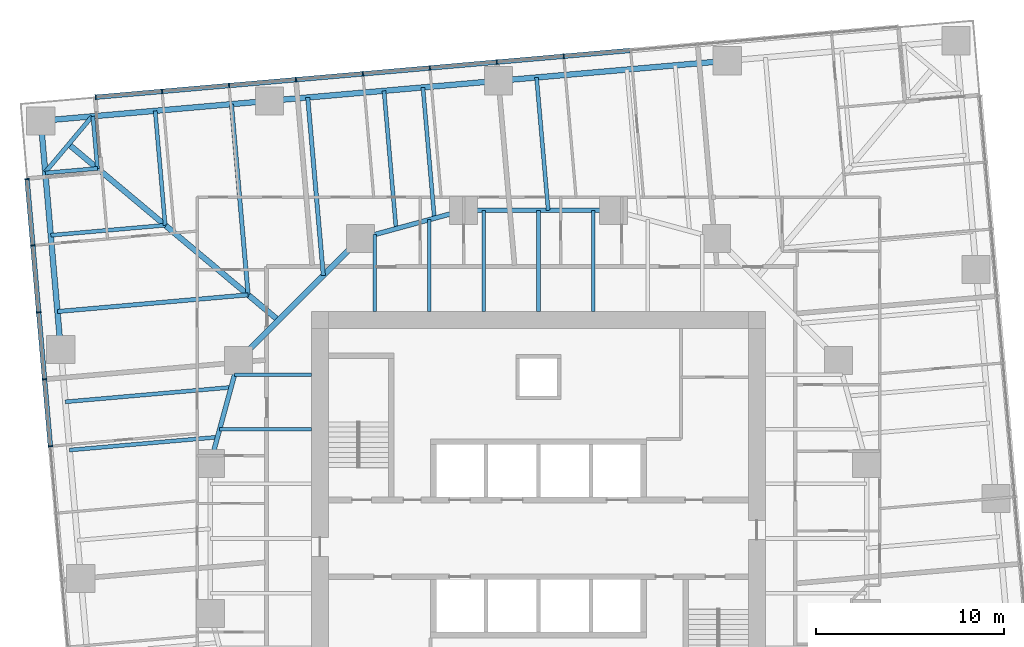
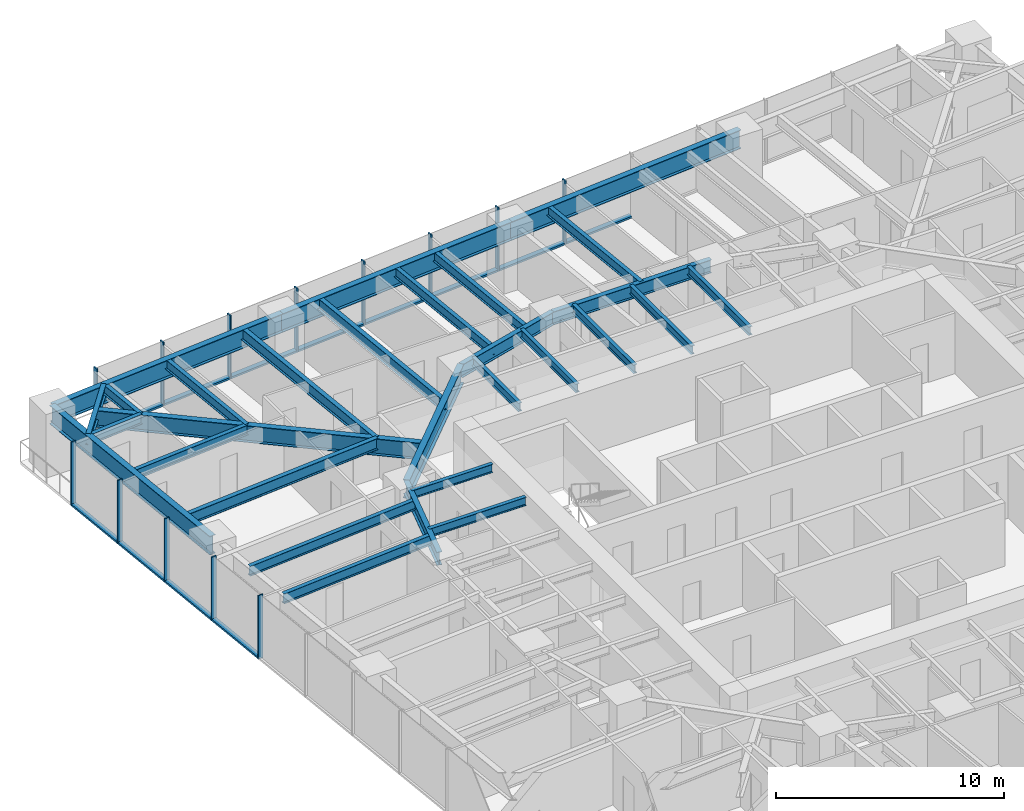
# One storey, part 5 of 14: 29 beams, 25 members, 2 elements without a shape of their own.
"""IFC4 building model written with IfcOpenShell, lengths in metres."""

from ifc_helpers import new_model, si_unit, direction, frame, origin, origin_2d, place, context, subcontext, project, spatial, rectangle, i_section, extrude, material, material_profile, profile_set, type_object, element, aggregate, save


model = new_model("IFC4")

# Units and contexts
model_context = context("Model", 3, precision=1e-05, world=origin(), true_north=direction((0.0, 1.0)))
body_context = subcontext(model_context, "Body", "Model", "MODEL_VIEW")
ifc_project = project(units=[si_unit("LENGTHUNIT", "METRE"), si_unit("AREAUNIT", "SQUARE_METRE"), si_unit("VOLUMEUNIT", "CUBIC_METRE"), si_unit("PLANEANGLEUNIT", "RADIAN"), si_unit("MASSUNIT", "GRAM", prefix="KILO")], contexts=[model_context])

# Site, building, storey
site_placement = place(None, origin())
site = spatial("IfcSite", under=ifc_project, at=site_placement, CompositionType="ELEMENT")
building_placement = place(site_placement, origin())
building = spatial("IfcBuilding", under=site, at=building_placement, Name="Torsade Residences", CompositionType="ELEMENT")
storey_placement = place(building_placement, frame((0.0, 0.0, 67.60009765625)))
storey = spatial("IfcBuildingStorey", under=building, at=storey_placement, Name="L18", CompositionType="ELEMENT", Elevation=67.60009765625)

# Beams
ifc_material_1 = material(Name="Steel grade 300", Category="steel")
ifc_material_profile_1 = material_profile(ifc_material_1, i_section(OverallWidth=0.300048828125, OverallDepth=0.89990234375, WebThickness=0.011962890625, FlangeThickness=0.02490234375, at=origin_2d()), Name="900WB175")
ifc_profile_set_1 = profile_set([ifc_material_profile_1], Name="Steel grade 300")
beam_type_1 = type_object("IfcBeamType", Name="CORNER GIRDER 900WB175", PredefinedType="BEAM", material=ifc_profile_set_1)
beam_1_placement = place(storey_placement, frame((14.947509765625, 51.021484375, 2.7998046875), z_axis=(0.766046281307, -0.642785419012, 0.0), x_axis=(0.642785419012, 0.766046281307, 0.0)))
element("IfcBeam", 1, at=beam_1_placement, inside=storey, type_object=beam_type_1, Name="Corner girder 13 L19", PredefinedType="BEAM", context=body_context, shape_type="SweptSolid", body=[
    extrude(i_section(OverallWidth=0.300048828125, OverallDepth=0.89990234375, WebThickness=0.011962890625, FlangeThickness=0.02490234375, at=origin_2d()), origin(), (0.0, 0.0, 1.0), 14.603515625),
])
ifc_material_2 = material(Name="Steel grade 300", Category="steel")
ifc_material_profile_2 = material_profile(ifc_material_2, i_section(OverallWidth=0.22802734375, OverallDepth=0.60205078125, WebThickness=0.010498046875, FlangeThickness=0.014892578125, FilletRadius=0.013916015625, at=origin_2d()), Name="610UB101")
ifc_profile_set_2 = profile_set([ifc_material_profile_2], Name="Steel grade 300")
beam_type_2 = type_object("IfcBeamType", Name="CORNER TRIMMER 610UB101", PredefinedType="BEAM", material=ifc_profile_set_2)
beam_2_placement = place(storey_placement, frame((13.697509765625, 49.531982421875, 2.948974609375), z_axis=(0.642804819911, 0.766030001697, 0.0), x_axis=(-0.766030001697, 0.642804819911, 0.0)))
element("IfcBeam", 2, at=beam_2_placement, inside=storey, type_object=beam_type_2, Name="Corner trimmer 13 L19", PredefinedType="BEAM", context=body_context, shape_type="SweptSolid", body=[
    extrude(i_section(OverallWidth=0.22802734375, OverallDepth=0.60205078125, WebThickness=0.010498046875, FlangeThickness=0.014892578125, FilletRadius=0.013916015625, at=origin_2d()), origin(), (0.0, 0.0, 1.0), 3.88916015625),
])

# Curtain wall, members
ifc_material_3 = material(Name="Aluminium and glass", Category="aluminium")
curtain_wall_type = type_object("IfcCurtainWallType", Name="FRITTED GLASS CURTAIN WALL LOW ZONE", PredefinedType="NOTDEFINED", material=ifc_material_3)
curtain_wall_1_placement = place(storey_placement, origin())
curtain_wall_1 = element("IfcCurtainWall", 3, at=curtain_wall_1_placement, inside=storey, type_object=curtain_wall_type, Name="Curtain wall L18 face 7", PredefinedType="NOTDEFINED")
ifc_material_4 = material(Name="Aluminium mullion", Category="aluminium")
ifc_material_profile_3 = material_profile(ifc_material_4, rectangle(XDim=0.25, YDim=0.06494140625, at=origin_2d()), Name="CURTAIN WALL MULLION 250x65")
ifc_profile_set_3 = profile_set([ifc_material_profile_3], Name="Aluminium mullion")
member_type_1 = type_object("IfcMemberType", Name="CURTAIN WALL MULLION 250x65", PredefinedType="MULLION", material=ifc_profile_set_3)
member_1_placement = place(storey_placement, frame((41.34716796875, 55.71533203125, 0.0), z_axis=(0.0, 0.0, 1.0), x_axis=(0.087155744208, -0.996194697964, 0.0)))
member_1 = element("IfcMember", 4, at=member_1_placement, type_object=member_type_1, Name="Mullion 6", PredefinedType="MULLION", context=body_context, shape_type="SweptSolid", body=[
    extrude(rectangle(XDim=0.25, YDim=0.06494140625, at=origin_2d()), origin(), (0.0, 0.0, 1.0), 3.39990234375),
])
member_2_placement = place(storey_placement, frame((37.777587890625, 55.403076171875, 0.0), z_axis=(0.0, 0.0, 1.0), x_axis=(0.087155744208, -0.996194697964, 0.0)))
member_2 = element("IfcMember", 5, at=member_2_placement, type_object=member_type_1, Name="Mullion 7", PredefinedType="MULLION", context=body_context, shape_type="SweptSolid", body=[
    extrude(rectangle(XDim=0.25, YDim=0.06494140625, at=origin_2d()), origin(), (0.0, 0.0, 1.0), 3.39990234375),
])
member_3_placement = place(storey_placement, frame((34.207763671875, 55.090576171875, 0.0), z_axis=(0.0, 0.0, 1.0), x_axis=(0.087155744208, -0.996194697964, 0.0)))
member_3 = element("IfcMember", 6, at=member_3_placement, type_object=member_type_1, Name="Mullion 8", PredefinedType="MULLION", context=body_context, shape_type="SweptSolid", body=[
    extrude(rectangle(XDim=0.25, YDim=0.06494140625, at=origin_2d()), origin(), (0.0, 0.0, 1.0), 3.39990234375),
])
member_4_placement = place(storey_placement, frame((30.63818359375, 54.7783203125, 0.0), z_axis=(0.0, 0.0, 1.0), x_axis=(0.087155744208, -0.996194697964, 0.0)))
member_4 = element("IfcMember", 7, at=member_4_placement, type_object=member_type_1, Name="Mullion 9", PredefinedType="MULLION", context=body_context, shape_type="SweptSolid", body=[
    extrude(rectangle(XDim=0.25, YDim=0.06494140625, at=origin_2d()), origin(), (0.0, 0.0, 1.0), 3.39990234375),
])
member_5_placement = place(storey_placement, frame((27.068359375, 54.466064453125, 0.0), z_axis=(0.0, 0.0, 1.0), x_axis=(0.087155744208, -0.996194697964, 0.0)))
member_5 = element("IfcMember", 8, at=member_5_placement, type_object=member_type_1, Name="Mullion 10", PredefinedType="MULLION", context=body_context, shape_type="SweptSolid", body=[
    extrude(rectangle(XDim=0.25, YDim=0.06494140625, at=origin_2d()), origin(), (0.0, 0.0, 1.0), 3.39990234375),
])
member_6_placement = place(storey_placement, frame((23.498779296875, 54.15380859375, 0.0), z_axis=(0.0, 0.0, 1.0), x_axis=(0.087155744208, -0.996194697964, 0.0)))
member_6 = element("IfcMember", 9, at=member_6_placement, type_object=member_type_1, Name="Mullion 11", PredefinedType="MULLION", context=body_context, shape_type="SweptSolid", body=[
    extrude(rectangle(XDim=0.25, YDim=0.06494140625, at=origin_2d()), origin(), (0.0, 0.0, 1.0), 3.39990234375),
])
member_7_placement = place(storey_placement, frame((19.928955078125, 53.84130859375, 0.0), z_axis=(0.0, 0.0, 1.0), x_axis=(0.087155744208, -0.996194697964, 0.0)))
member_7 = element("IfcMember", 10, at=member_7_placement, type_object=member_type_1, Name="Mullion 12", PredefinedType="MULLION", context=body_context, shape_type="SweptSolid", body=[
    extrude(rectangle(XDim=0.25, YDim=0.06494140625, at=origin_2d()), origin(), (0.0, 0.0, 1.0), 3.39990234375),
])
member_8_placement = place(storey_placement, frame((16.3916015625, 53.531982421875, 0.0), z_axis=(0.0, 0.0, 1.0), x_axis=(0.087155744208, -0.996194697964, 0.0)))
member_8 = element("IfcMember", 11, at=member_8_placement, type_object=member_type_1, Name="Mullion 13", PredefinedType="MULLION", context=body_context, shape_type="SweptSolid", body=[
    extrude(rectangle(XDim=0.25, YDim=0.06494140625, at=origin_2d()), origin(), (0.0, 0.0, 1.0), 3.39990234375),
])

curtain_wall_2_placement = place(storey_placement, origin())
curtain_wall_2 = element("IfcCurtainWall", 12, at=curtain_wall_2_placement, inside=storey, type_object=curtain_wall_type, Name="Curtain wall L18 face 10", PredefinedType="NOTDEFINED")
member_9_placement = place(storey_placement, frame((12.72607421875, 49.163330078125, 0.0), z_axis=(0.0, 0.0, 1.0), x_axis=(0.996194697964, 0.087155744208, 0.0)))
member_9 = element("IfcMember", 13, at=member_9_placement, type_object=member_type_1, Name="Mullion 1", PredefinedType="MULLION", context=body_context, shape_type="SweptSolid", body=[
    extrude(rectangle(XDim=0.25, YDim=0.06494140625, at=origin_2d()), origin(), (0.0, 0.0, 1.0), 3.39990234375),
])
member_10_placement = place(storey_placement, frame((13.035400390625, 45.6259765625, 0.0), z_axis=(0.0, 0.0, 1.0), x_axis=(0.996194697964, 0.087155744208, 0.0)))
member_10 = element("IfcMember", 14, at=member_10_placement, type_object=member_type_1, Name="Mullion 2", PredefinedType="MULLION", context=body_context, shape_type="SweptSolid", body=[
    extrude(rectangle(XDim=0.25, YDim=0.06494140625, at=origin_2d()), origin(), (0.0, 0.0, 1.0), 3.39990234375),
])
member_11_placement = place(storey_placement, frame((13.347900390625, 42.056396484375, 0.0), z_axis=(0.0, 0.0, 1.0), x_axis=(0.996194697964, 0.087155744208, 0.0)))
member_11 = element("IfcMember", 15, at=member_11_placement, type_object=member_type_1, Name="Mullion 3", PredefinedType="MULLION", context=body_context, shape_type="SweptSolid", body=[
    extrude(rectangle(XDim=0.25, YDim=0.06494140625, at=origin_2d()), origin(), (0.0, 0.0, 1.0), 3.39990234375),
])
member_12_placement = place(storey_placement, frame((13.66015625, 38.486572265625, 0.0), z_axis=(0.0, 0.0, 1.0), x_axis=(0.996194697964, 0.087155744208, 0.0)))
member_12 = element("IfcMember", 16, at=member_12_placement, type_object=member_type_1, Name="Mullion 4", PredefinedType="MULLION", context=body_context, shape_type="SweptSolid", body=[
    extrude(rectangle(XDim=0.25, YDim=0.06494140625, at=origin_2d()), origin(), (0.0, 0.0, 1.0), 3.39990234375),
])
member_13_placement = place(storey_placement, frame((13.972412109375, 34.9169921875, 0.0), z_axis=(0.0, 0.0, 1.0), x_axis=(0.996194697964, 0.087155744208, 0.0)))
member_13 = element("IfcMember", 17, at=member_13_placement, type_object=member_type_1, Name="Mullion 5", PredefinedType="MULLION", context=body_context, shape_type="SweptSolid", body=[
    extrude(rectangle(XDim=0.25, YDim=0.06494140625, at=origin_2d()), origin(), (0.0, 0.0, 1.0), 3.39990234375),
])

# Member
ifc_material_5 = material(Name="Aluminium transom", Category="aluminium")
ifc_material_profile_4 = material_profile(ifc_material_5, rectangle(XDim=0.25, YDim=0.10009765625, at=origin_2d()), Name="CURTAIN WALL TRANSOM 250x100")
ifc_profile_set_4 = profile_set([ifc_material_profile_4], Name="Aluminium transom")
member_type_2 = type_object("IfcMemberType", Name="CURTAIN WALL TRANSOM 250x100", PredefinedType="USERDEFINED", material=ifc_profile_set_4)
member_14_placement = place(storey_placement, frame((44.884521484375, 56.024658203125, 0.0498046875), z_axis=(-0.996194621295, -0.087156620531, 0.0), x_axis=(0.087156620531, -0.996194621295, 0.0)))
member_14 = element("IfcMember", 18, at=member_14_placement, type_object=member_type_2, Name="Transom 5.1", ObjectType="TRANSOM", PredefinedType="USERDEFINED", context=body_context, shape_type="SweptSolid", body=[
    extrude(rectangle(XDim=0.25, YDim=0.10009765625, at=origin_2d()), origin(), (0.0, 0.0, 1.0), 3.518310546875),
])

member_15_placement = place(storey_placement, frame((41.31494140625, 55.71240234375, 0.0498046875), z_axis=(-0.996195148363, -0.08715059597, 0.0), x_axis=(0.08715059597, -0.996195148363, 0.0)))
member_15 = element("IfcMember", 19, at=member_15_placement, type_object=member_type_2, Name="Transom 6.1", ObjectType="TRANSOM", PredefinedType="USERDEFINED", context=body_context, shape_type="SweptSolid", body=[
    extrude(rectangle(XDim=0.25, YDim=0.10009765625, at=origin_2d()), origin(), (0.0, 0.0, 1.0), 3.5185546875),
])

member_16_placement = place(storey_placement, frame((37.7451171875, 55.400146484375, 0.0498046875), z_axis=(-0.996194621295, -0.087156620531, 0.0), x_axis=(0.087156620531, -0.996194621295, 0.0)))
member_16 = element("IfcMember", 20, at=member_16_placement, type_object=member_type_2, Name="Transom 7.1", ObjectType="TRANSOM", PredefinedType="USERDEFINED", context=body_context, shape_type="SweptSolid", body=[
    extrude(rectangle(XDim=0.25, YDim=0.10009765625, at=origin_2d()), origin(), (0.0, 0.0, 1.0), 3.518310546875),
])

member_17_placement = place(storey_placement, frame((34.175537109375, 55.087890625, 0.0498046875), z_axis=(-0.996195148363, -0.08715059597, 0.0), x_axis=(0.08715059597, -0.996195148363, 0.0)))
member_17 = element("IfcMember", 21, at=member_17_placement, type_object=member_type_2, Name="Transom 8.1", ObjectType="TRANSOM", PredefinedType="USERDEFINED", context=body_context, shape_type="SweptSolid", body=[
    extrude(rectangle(XDim=0.25, YDim=0.10009765625, at=origin_2d()), origin(), (0.0, 0.0, 1.0), 3.5185546875),
])

member_18_placement = place(storey_placement, frame((30.605712890625, 54.775634765625, 0.0498046875), z_axis=(-0.996194621295, -0.087156620531, 0.0), x_axis=(0.087156620531, -0.996194621295, 0.0)))
member_18 = element("IfcMember", 22, at=member_18_placement, type_object=member_type_2, Name="Transom 9.1", ObjectType="TRANSOM", PredefinedType="USERDEFINED", context=body_context, shape_type="SweptSolid", body=[
    extrude(rectangle(XDim=0.25, YDim=0.10009765625, at=origin_2d()), origin(), (0.0, 0.0, 1.0), 3.518310546875),
])

member_19_placement = place(storey_placement, frame((27.0361328125, 54.463134765625, 0.0498046875), z_axis=(-0.996195148363, -0.08715059597, 0.0), x_axis=(0.08715059597, -0.996195148363, 0.0)))
member_19 = element("IfcMember", 23, at=member_19_placement, type_object=member_type_2, Name="Transom 10.1", ObjectType="TRANSOM", PredefinedType="USERDEFINED", context=body_context, shape_type="SweptSolid", body=[
    extrude(rectangle(XDim=0.25, YDim=0.10009765625, at=origin_2d()), origin(), (0.0, 0.0, 1.0), 3.5185546875),
])

member_20_placement = place(storey_placement, frame((23.46630859375, 54.15087890625, 0.0498046875), z_axis=(-0.996194621295, -0.087156620531, 0.0), x_axis=(0.087156620531, -0.996194621295, 0.0)))
member_20 = element("IfcMember", 24, at=member_20_placement, type_object=member_type_2, Name="Transom 11.1", ObjectType="TRANSOM", PredefinedType="USERDEFINED", context=body_context, shape_type="SweptSolid", body=[
    extrude(rectangle(XDim=0.25, YDim=0.10009765625, at=origin_2d()), origin(), (0.0, 0.0, 1.0), 3.518310546875),
])

member_21_placement = place(storey_placement, frame((19.896728515625, 53.838623046875, 0.0498046875), z_axis=(-0.996191284475, -0.08719475177, 0.0), x_axis=(0.08719475177, -0.996191284475, 0.0)))
member_21 = element("IfcMember", 25, at=member_21_placement, type_object=member_type_2, Name="Transom 12.1", ObjectType="TRANSOM", PredefinedType="USERDEFINED", context=body_context, shape_type="SweptSolid", body=[
    extrude(rectangle(XDim=0.25, YDim=0.10009765625, at=origin_2d()), origin(), (0.0, 0.0, 1.0), 3.48583984375),
])

aggregate(curtain_wall_1, [member_1, member_2, member_3, member_4, member_5, member_6, member_7, member_8, member_14, member_15, member_16, member_17, member_18, member_19, member_20, member_21])

member_22_placement = place(storey_placement, frame((12.728759765625, 49.130859375, 0.0498046875), z_axis=(0.0872008357, -0.996190751941, 0.0), x_axis=(0.996190751941, 0.0872008357, 0.0)))
member_22 = element("IfcMember", 26, at=member_22_placement, type_object=member_type_2, Name="Transom 1.1", ObjectType="TRANSOM", PredefinedType="USERDEFINED", context=body_context, shape_type="SweptSolid", body=[
    extrude(rectangle(XDim=0.25, YDim=0.10009765625, at=origin_2d()), origin(), (0.0, 0.0, 1.0), 3.485595703125),
])

member_23_placement = place(storey_placement, frame((13.038330078125, 45.59375, 0.0498046875), z_axis=(0.08715059597, -0.996195148363, 0.0), x_axis=(0.996195148363, 0.08715059597, 0.0)))
member_23 = element("IfcMember", 27, at=member_23_placement, type_object=member_type_2, Name="Transom 2.1", ObjectType="TRANSOM", PredefinedType="USERDEFINED", context=body_context, shape_type="SweptSolid", body=[
    extrude(rectangle(XDim=0.25, YDim=0.10009765625, at=origin_2d()), origin(), (0.0, 0.0, 1.0), 3.5185546875),
])

member_24_placement = place(storey_placement, frame((13.3505859375, 42.02392578125, 0.0498046875), z_axis=(0.087156620531, -0.996194621295, 0.0), x_axis=(0.996194621295, 0.087156620531, 0.0)))
member_24 = element("IfcMember", 28, at=member_24_placement, type_object=member_type_2, Name="Transom 3.1", ObjectType="TRANSOM", PredefinedType="USERDEFINED", context=body_context, shape_type="SweptSolid", body=[
    extrude(rectangle(XDim=0.25, YDim=0.10009765625, at=origin_2d()), origin(), (0.0, 0.0, 1.0), 3.518310546875),
])

member_25_placement = place(storey_placement, frame((13.662841796875, 38.454345703125, 0.0498046875), z_axis=(0.08715059597, -0.996195148363, 0.0), x_axis=(0.996195148363, 0.08715059597, 0.0)))
member_25 = element("IfcMember", 29, at=member_25_placement, type_object=member_type_2, Name="Transom 4.1", ObjectType="TRANSOM", PredefinedType="USERDEFINED", context=body_context, shape_type="SweptSolid", body=[
    extrude(rectangle(XDim=0.25, YDim=0.10009765625, at=origin_2d()), origin(), (0.0, 0.0, 1.0), 3.5185546875),
])

aggregate(curtain_wall_2, [member_9, member_10, member_11, member_12, member_13, member_22, member_23, member_24, member_25])

# Beams
ifc_material_6 = material(Name="Steel grade 300", Category="steel")
ifc_material_profile_5 = material_profile(ifc_material_6, i_section(OverallWidth=0.300048828125, OverallDepth=1.0, WebThickness=0.01611328125, FlangeThickness=0.028076171875, at=origin_2d()), Name="1000WB215")
ifc_profile_set_5 = profile_set([ifc_material_profile_5], Name="Steel grade 300")
beam_type_3 = type_object("IfcBeamType", Name="EDGE BEAM 1000WB215", PredefinedType="SPANDREL", material=ifc_profile_set_5)
for number, where, z_axis, x_axis, name in (
    (30, (50.068115234375, 55.474365234375, 2.75), (-0.996194907201, -0.08715335259, 0.0), (0.08715335259, -0.996194907201, 0.0), "Edge beam 10 L19"),
    (31, (37.86474609375, 54.40673828125, 2.75), (-0.996194907201, -0.08715335259, 0.0), (0.08715335259, -0.996194907201, 0.0), "Edge beam 11 L19"),
    (32, (25.661376953125, 53.339111328125, 2.75), (-0.996194907201, -0.08715335259, 0.0), (0.08715335259, -0.996194907201, 0.0), "Edge beam 12 L19"),
    (33, (13.4580078125, 52.271484375, 2.75), (0.08715335259, -0.996194907201, 0.0), (0.996194907201, 0.08715335259, 0.0), "Edge beam 13 L19"),
):
    element("IfcBeam", number, at=place(storey_placement, frame(where, z_axis=z_axis, x_axis=x_axis)), inside=storey, type_object=beam_type_3, Name=name, PredefinedType="SPANDREL", context=body_context, shape_type="SweptSolid", body=[
        extrude(i_section(OverallWidth=0.300048828125, OverallDepth=1.0, WebThickness=0.01611328125, FlangeThickness=0.028076171875, at=origin_2d()), origin(), (0.0, 0.0, 1.0), 12.25),
    ])
ifc_material_7 = material(Name="Steel grade 300", Category="steel")
ifc_material_profile_6 = material_profile(ifc_material_7, i_section(OverallWidth=0.18994140625, OverallDepth=0.4541015625, WebThickness=0.008544921875, FlangeThickness=0.0126953125, FilletRadius=0.011474609375, at=origin_2d()), Name="460UB67.1")
ifc_profile_set_6 = profile_set([ifc_material_profile_6], Name="Steel grade 300")
beam_type_4 = type_object("IfcBeamType", Name="INNER FLOOR BEAM 460UB67.1", PredefinedType="JOIST", material=ifc_profile_set_6)
beam_3_placement = place(storey_placement, frame((31.262451171875, 42.10009765625, 3.02294921875), z_axis=(0.0, 1.0, 0.0), x_axis=(-1.0, 0.0, 0.0)))
element("IfcBeam", 34, at=beam_3_placement, inside=storey, type_object=beam_type_4, Name="Inner floor beam IN01 L19", PredefinedType="JOIST", context=body_context, shape_type="SweptSolid", body=[
    extrude(i_section(OverallWidth=0.18994140625, OverallDepth=0.4541015625, WebThickness=0.008544921875, FlangeThickness=0.0126953125, FilletRadius=0.011474609375, at=origin_2d()), origin(), (0.0, 0.0, 1.0), 4.10791015625),
])
beam_4_placement = place(storey_placement, frame((34.175048828125, 42.10009765625, 3.02294921875), z_axis=(0.0, 1.0, 0.0), x_axis=(-1.0, 0.0, 0.0)))
element("IfcBeam", 35, at=beam_4_placement, inside=storey, type_object=beam_type_4, Name="Inner floor beam IN02 L19", PredefinedType="JOIST", context=body_context, shape_type="SweptSolid", body=[
    extrude(i_section(OverallWidth=0.18994140625, OverallDepth=0.4541015625, WebThickness=0.008544921875, FlangeThickness=0.0126953125, FilletRadius=0.011474609375, at=origin_2d()), origin(), (0.0, 0.0, 1.0), 4.902099609375),
])
for number, where, z_axis, x_axis, name in (
    (36, (37.08740234375, 42.10009765625, 3.02294921875), (0.0, 1.0, 0.0), (-1.0, 0.0, 0.0), "Inner floor beam IN03 L19"),
    (37, (40.0, 42.10009765625, 3.02294921875), (0.0, 1.0, 0.0), (-1.0, 0.0, 0.0), "Inner floor beam IN04 L19"),
    (38, (42.91259765625, 42.10009765625, 3.02294921875), (0.0, 1.0, 0.0), (-1.0, 0.0, 0.0), "Inner floor beam IN05 L19"),
):
    element("IfcBeam", number, at=place(storey_placement, frame(where, z_axis=z_axis, x_axis=x_axis)), inside=storey, type_object=beam_type_4, Name=name, PredefinedType="JOIST", context=body_context, shape_type="SweptSolid", body=[
        extrude(i_section(OverallWidth=0.18994140625, OverallDepth=0.4541015625, WebThickness=0.008544921875, FlangeThickness=0.0126953125, FilletRadius=0.011474609375, at=origin_2d()), origin(), (0.0, 0.0, 1.0), 5.39990234375),
    ])
beam_5_placement = place(storey_placement, frame((27.89990234375, 38.737548828125, 3.02294921875), z_axis=(-1.0, 0.0, 0.0), x_axis=(0.0, -1.0, 0.0)))
element("IfcBeam", 39, at=beam_5_placement, inside=storey, type_object=beam_type_4, Name="Inner floor beam IW01 L19", PredefinedType="JOIST", context=body_context, shape_type="SweptSolid", body=[
    extrude(i_section(OverallWidth=0.18994140625, OverallDepth=0.4541015625, WebThickness=0.008544921875, FlangeThickness=0.0126953125, FilletRadius=0.011474609375, at=origin_2d()), origin(), (0.0, 0.0, 1.0), 4.10791015625),
])
beam_6_placement = place(storey_placement, frame((27.89990234375, 35.824951171875, 3.02294921875), z_axis=(-1.0, 0.0, 0.0), x_axis=(0.0, -1.0, 0.0)))
element("IfcBeam", 40, at=beam_6_placement, inside=storey, type_object=beam_type_4, Name="Inner floor beam IW02 L19", PredefinedType="JOIST", context=body_context, shape_type="SweptSolid", body=[
    extrude(i_section(OverallWidth=0.18994140625, OverallDepth=0.4541015625, WebThickness=0.008544921875, FlangeThickness=0.0126953125, FilletRadius=0.011474609375, at=origin_2d()), origin(), (0.0, 0.0, 1.0), 4.902099609375),
])
ifc_material_8 = material(Name="Steel grade 300", Category="steel")
ifc_material_profile_7 = material_profile(ifc_material_8, i_section(OverallWidth=0.300048828125, OverallDepth=1.0, WebThickness=0.01611328125, FlangeThickness=0.028076171875, at=origin_2d()), Name="1000WB215")
ifc_profile_set_7 = profile_set([ifc_material_profile_7], Name="Steel grade 300")
beam_type_5 = type_object("IfcBeamType", Name="RING CORNER GIRDER 1000WB215", PredefinedType="BEAM", material=ifc_profile_set_7)
beam_7_placement = place(storey_placement, frame((30.5, 46.0, 2.75), z_axis=(-0.707106781187, -0.707106781187, 0.0), x_axis=(0.707106781187, -0.707106781187, 0.0)))
element("IfcBeam", 41, at=beam_7_placement, inside=storey, type_object=beam_type_5, Name="Ring girder IR07 L19", PredefinedType="BEAM", context=body_context, shape_type="SweptSolid", body=[
    extrude(i_section(OverallWidth=0.300048828125, OverallDepth=1.0, WebThickness=0.01611328125, FlangeThickness=0.028076171875, at=origin_2d()), origin(), (0.0, 0.0, 1.0), 9.1923828125),
])
ifc_material_9 = material(Name="Steel grade 300", Category="steel")
ifc_material_profile_8 = material_profile(ifc_material_9, i_section(OverallWidth=0.25, OverallDepth=0.699951171875, WebThickness=0.010009765625, FlangeThickness=0.02001953125, at=origin_2d()), Name="700WB130")
ifc_profile_set_8 = profile_set([ifc_material_profile_8], Name="Steel grade 300")
beam_type_6 = type_object("IfcBeamType", Name="RING GIRDER 700WB130", PredefinedType="BEAM", material=ifc_profile_set_8)
beam_8_placement = place(storey_placement, frame((44.0, 47.5, 2.89990234375), z_axis=(-1.0, 0.0, 0.0), x_axis=(0.0, -1.0, 0.0)))
element("IfcBeam", 42, at=beam_8_placement, inside=storey, type_object=beam_type_6, Name="Ring girder IR05 L19", PredefinedType="BEAM", context=body_context, shape_type="SweptSolid", body=[
    extrude(i_section(OverallWidth=0.25, OverallDepth=0.699951171875, WebThickness=0.010009765625, FlangeThickness=0.02001953125, at=origin_2d()), origin(), (0.0, 0.0, 1.0), 8.0),
])
for number, where, z_axis, x_axis, name in (
    (43, (36.0, 47.5, 2.89990234375), (-0.964763821238, -0.263117405792, 0.0), (0.263117405792, -0.964763821238, 0.0), "Ring girder IR06 L19"),
    (44, (24.0, 39.5, 2.89990234375), (-0.263117405792, -0.964763821238, 0.0), (0.964763821238, -0.263117405792, 0.0), "Ring girder IR08 L19"),
):
    element("IfcBeam", number, at=place(storey_placement, frame(where, z_axis=z_axis, x_axis=x_axis)), inside=storey, type_object=beam_type_6, Name=name, PredefinedType="BEAM", context=body_context, shape_type="SweptSolid", body=[
        extrude(i_section(OverallWidth=0.25, OverallDepth=0.699951171875, WebThickness=0.010009765625, FlangeThickness=0.02001953125, at=origin_2d()), origin(), (0.0, 0.0, 1.0), 5.700927734375),
    ])
ifc_material_10 = material(Name="Steel grade 300", Category="steel")
ifc_material_profile_9 = material_profile(ifc_material_10, i_section(OverallWidth=0.208984375, OverallDepth=0.528076171875, WebThickness=0.009521484375, FlangeThickness=0.01318359375, FilletRadius=0.013916015625, at=origin_2d()), Name="530UB82.0")
ifc_profile_set_9 = profile_set([ifc_material_profile_9], Name="Steel grade 300")
beam_type_7 = type_object("IfcBeamType", Name="SECONDARY BEAM 530UB82.0", PredefinedType="JOIST", material=ifc_profile_set_9)
beam_9_placement = place(storey_placement, frame((39.898681640625, 54.584716796875, 2.98583984375), z_axis=(0.087127345813, -0.996197182094, 0.0), x_axis=(0.996197182094, 0.087127345813, 0.0)))
element("IfcBeam", 45, at=beam_9_placement, inside=storey, type_object=beam_type_7, Name="Floor beam FN06 L19", PredefinedType="JOIST", context=body_context, shape_type="SweptSolid", body=[
    extrude(i_section(OverallWidth=0.208984375, OverallDepth=0.528076171875, WebThickness=0.009521484375, FlangeThickness=0.01318359375, FilletRadius=0.013916015625, at=origin_2d()), origin(), (0.0, 0.0, 1.0), 7.11181640625),
])
beam_10_placement = place(storey_placement, frame((33.83837890625, 54.054443359375, 2.98583984375), z_axis=(0.087175598142, -0.99619296077, 0.0), x_axis=(0.99619296077, 0.087175598142, 0.0)))
element("IfcBeam", 46, at=beam_10_placement, inside=storey, type_object=beam_type_7, Name="Floor beam FN07 L19", PredefinedType="JOIST", context=body_context, shape_type="SweptSolid", body=[
    extrude(i_section(OverallWidth=0.208984375, OverallDepth=0.528076171875, WebThickness=0.009521484375, FlangeThickness=0.01318359375, FilletRadius=0.013916015625, at=origin_2d()), origin(), (0.0, 0.0, 1.0), 7.004150390625),
])
beam_11_placement = place(storey_placement, frame((31.762939453125, 53.873046875, 2.98583984375), z_axis=(0.087156282128, -0.996194650902, 0.0), x_axis=(0.996194650902, 0.087156282128, 0.0)))
element("IfcBeam", 47, at=beam_11_placement, inside=storey, type_object=beam_type_7, Name="Floor beam FN08 L19", PredefinedType="JOIST", context=body_context, shape_type="SweptSolid", body=[
    extrude(i_section(OverallWidth=0.208984375, OverallDepth=0.528076171875, WebThickness=0.009521484375, FlangeThickness=0.01318359375, FilletRadius=0.013916015625, at=origin_2d()), origin(), (0.0, 0.0, 1.0), 7.381103515625),
])
beam_12_placement = place(storey_placement, frame((19.5595703125, 52.80517578125, 2.98583984375), z_axis=(0.087174861801, -0.996193025206, 0.0), x_axis=(0.996193025206, 0.087174861801, 0.0)))
element("IfcBeam", 48, at=beam_12_placement, inside=storey, type_object=beam_type_7, Name="Floor beam FN11 L19", PredefinedType="JOIST", context=body_context, shape_type="SweptSolid", body=[
    extrude(i_section(OverallWidth=0.208984375, OverallDepth=0.528076171875, WebThickness=0.009521484375, FlangeThickness=0.01318359375, FilletRadius=0.013916015625, at=origin_2d()), origin(), (0.0, 0.0, 1.0), 6.125),
])
for number, where, z_axis, x_axis, name in (
    (49, (16.239013671875, 52.5146484375, 2.98583984375), (0.087105111923, -0.996199126418, 0.0), (0.996199126418, 0.087105111923, 0.0), "Floor beam FN12 L19"),
    (50, (13.701171875, 49.490478515625, 2.98583984375), (0.996199126418, 0.087105111923, 0.0), (-0.087105111923, 0.996199126418, 0.0), "Floor beam FW01 L19"),
):
    element("IfcBeam", number, at=place(storey_placement, frame(where, z_axis=z_axis, x_axis=x_axis)), inside=storey, type_object=beam_type_7, Name=name, PredefinedType="JOIST", context=body_context, shape_type="SweptSolid", body=[
        extrude(i_section(OverallWidth=0.208984375, OverallDepth=0.528076171875, WebThickness=0.009521484375, FlangeThickness=0.01318359375, FilletRadius=0.013916015625, at=origin_2d()), origin(), (0.0, 0.0, 1.0), 2.79150390625),
    ])
beam_13_placement = place(storey_placement, frame((13.99169921875, 46.169677734375, 2.98583984375), z_axis=(0.996193328106, 0.087171400335, 0.0), x_axis=(-0.087171400335, 0.996193328106, 0.0)))
element("IfcBeam", 51, at=beam_13_placement, inside=storey, type_object=beam_type_7, Name="Floor beam FW02 L19", PredefinedType="JOIST", context=body_context, shape_type="SweptSolid", body=[
    extrude(i_section(OverallWidth=0.208984375, OverallDepth=0.528076171875, WebThickness=0.009521484375, FlangeThickness=0.01318359375, FilletRadius=0.013916015625, at=origin_2d()), origin(), (0.0, 0.0, 1.0), 6.125244140625),
])
beam_14_placement = place(storey_placement, frame((14.768798828125, 37.287109375, 2.98583984375), z_axis=(0.996195539225, 0.08714612802, 0.0), x_axis=(-0.08714612802, 0.996195539225, 0.0)))
element("IfcBeam", 52, at=beam_14_placement, inside=storey, type_object=beam_type_7, Name="Floor beam FW04 L19", PredefinedType="JOIST", context=body_context, shape_type="SweptSolid", body=[
    extrude(i_section(OverallWidth=0.208984375, OverallDepth=0.528076171875, WebThickness=0.009521484375, FlangeThickness=0.01318359375, FilletRadius=0.013916015625, at=origin_2d()), origin(), (0.0, 0.0, 1.0), 8.872314453125),
])
beam_15_placement = place(storey_placement, frame((14.994140625, 34.713623046875, 2.98583984375), z_axis=(0.996194520605, 0.087157771408, 0.0), x_axis=(-0.087157771408, 0.996194520605, 0.0)))
element("IfcBeam", 53, at=beam_15_placement, inside=storey, type_object=beam_type_7, Name="Floor beam FW05 L19", PredefinedType="JOIST", context=body_context, shape_type="SweptSolid", body=[
    extrude(i_section(OverallWidth=0.208984375, OverallDepth=0.528076171875, WebThickness=0.009521484375, FlangeThickness=0.01318359375, FilletRadius=0.013916015625, at=origin_2d()), origin(), (0.0, 0.0, 1.0), 7.918701171875),
])
ifc_material_11 = material(Name="Steel grade 300", Category="steel")
ifc_material_profile_10 = material_profile(ifc_material_11, i_section(OverallWidth=0.22900390625, OverallDepth=0.612060546875, WebThickness=0.011962890625, FlangeThickness=0.01953125, FilletRadius=0.013916015625, at=origin_2d()), Name="610UB125")
ifc_profile_set_10 = profile_set([ifc_material_profile_10], Name="Steel grade 300")
beam_type_8 = type_object("IfcBeamType", Name="SECONDARY BEAM 610UB125", PredefinedType="JOIST", material=ifc_profile_set_10)
beam_16_placement = place(storey_placement, frame((27.6953125, 53.51708984375, 2.94384765625), z_axis=(0.087148195942, -0.996195358323, 0.0), x_axis=(0.996195358323, 0.087148195942, 0.0)))
element("IfcBeam", 54, at=beam_16_placement, inside=storey, type_object=beam_type_8, Name="Floor beam FN09 L19", PredefinedType="JOIST", context=body_context, shape_type="SweptSolid", body=[
    extrude(i_section(OverallWidth=0.22900390625, OverallDepth=0.612060546875, WebThickness=0.011962890625, FlangeThickness=0.01953125, FilletRadius=0.013916015625, at=origin_2d()), origin(), (0.0, 0.0, 1.0), 9.527587890625),
])
for number, where, z_axis, x_axis, name in (
    (55, (23.62744140625, 53.1611328125, 2.94384765625), (0.087149742944, -0.996195222988, 0.0), (0.996195222988, 0.087149742944, 0.0), "Floor beam FN10 L19"),
    (56, (14.34765625, 42.10205078125, 2.94384765625), (0.996195222988, 0.087149742944, 0.0), (-0.087149742944, 0.996195222988, 0.0), "Floor beam FW03 L19"),
):
    element("IfcBeam", number, at=place(storey_placement, frame(where, z_axis=z_axis, x_axis=x_axis)), inside=storey, type_object=beam_type_8, Name=name, PredefinedType="JOIST", context=body_context, shape_type="SweptSolid", body=[
        extrude(i_section(OverallWidth=0.22900390625, OverallDepth=0.612060546875, WebThickness=0.011962890625, FlangeThickness=0.01953125, FilletRadius=0.013916015625, at=origin_2d()), origin(), (0.0, 0.0, 1.0), 10.208251953125),
    ])

save(model, "model.ifc")
